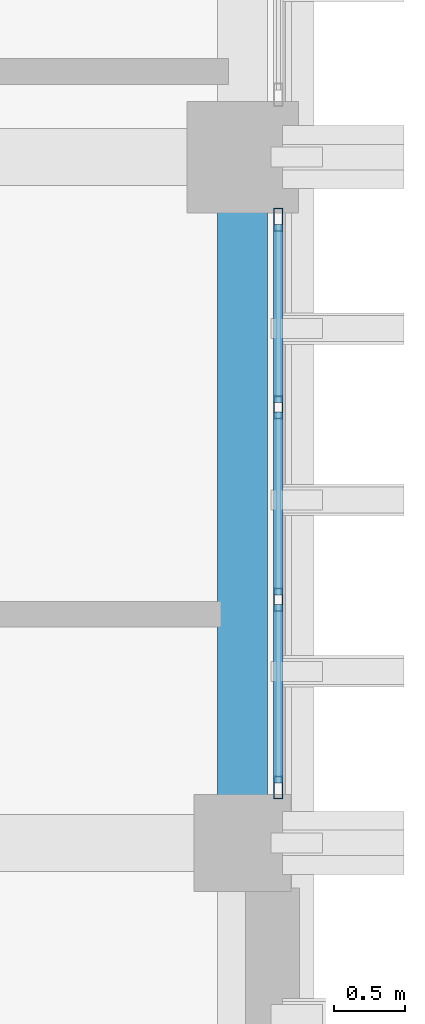
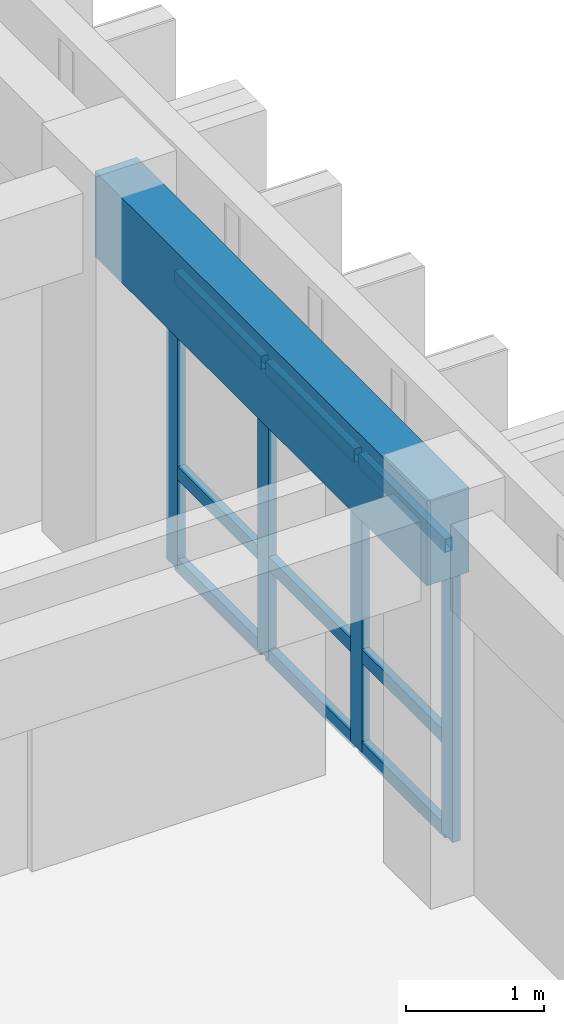
# One storey, part 14 of 68: 13 members, 1 beam, 1 element without a shape of its own.
"""IFC4 building model written with IfcOpenShell, lengths in metres."""

from ifc_helpers import new_model, si_unit, direction, frame, origin, origin_2d, place, context, subcontext, project, spatial, rectangle, hollow_rectangle, extrude, material, layer, layer_set, material_profile, profile_set, type_object, element, aggregate, save


model = new_model("IFC4")

# Units and contexts
model_context = context("Model", 3, precision=1e-05, world=origin(), true_north=direction((0.0, 1.0)))
body_context = subcontext(model_context, "Body", "Model", "MODEL_VIEW")
ifc_project = project(units=[si_unit("LENGTHUNIT", "METRE"), si_unit("AREAUNIT", "SQUARE_METRE"), si_unit("VOLUMEUNIT", "CUBIC_METRE"), si_unit("PLANEANGLEUNIT", "RADIAN"), si_unit("MASSUNIT", "GRAM", prefix="KILO")], contexts=[model_context])

# Site, building, storey
site_placement = place(None, origin())
site = spatial("IfcSite", under=ifc_project, at=site_placement, CompositionType="ELEMENT")
building_placement = place(site_placement, origin())
building = spatial("IfcBuilding", under=site, at=building_placement, Name="Nakhvara Creek Congress Hotel", CompositionType="ELEMENT")
storey_placement = place(building_placement, frame((0.0, 0.0, 24.60009765625)))
storey = spatial("IfcBuildingStorey", under=building, at=storey_placement, Name="L05", CompositionType="ELEMENT", Elevation=24.60009765625)

# Beam
ifc_material_1 = material(Name="Concrete C40/50", Category="concrete")
ifc_material_profile_1 = material_profile(ifc_material_1, rectangle(XDim=0.35009765625, YDim=0.75, at=origin_2d()), Name="RC-SPANDREL 350x750", Category="LoadBearing")
ifc_profile_set_1 = profile_set([ifc_material_profile_1], Name="Concrete C40/50")
beam_type = type_object("IfcBeamType", Name="BM-SPN-350X750", PredefinedType="SPANDREL", material=ifc_profile_set_1)
beam_placement = place(storey_placement, frame((179.35009765625, 43.199951171875, 2.96484375), z_axis=(0.0, 1.0, 0.0), x_axis=(-1.0, 0.0, 0.0)))
element("IfcBeam", 1, at=beam_placement, inside=storey, type_object=beam_type, Name="Beam SP1-L05-2150", PredefinedType="SPANDREL", context=body_context, shape_type="SweptSolid", body=[
    extrude(rectangle(XDim=0.35009765625, YDim=0.75, at=origin_2d()), origin(), (0.0, 0.0, 1.0), 4.800048828125),
])

# Curtain wall, members
ifc_material_2 = material(Name="Bronze-anodised aluminium AW-6063-T6 and double-silver low-E glass", Category="aluminium")
ifc_layer = layer(ifc_material_2, 0.199951171875)
ifc_layer_set = layer_set([ifc_layer], Name="Bronze-anodised aluminium AW-6063-T6 and double-silver low-E glass")
curtain_wall_type = type_object("IfcCurtainWallType", Name="CW-HTL-UNIT", PredefinedType="USERDEFINED", material=ifc_layer_set)
curtain_wall_placement = place(storey_placement, origin())
curtain_wall = element("IfcCurtainWall", 2, at=curtain_wall_placement, inside=storey, type_object=curtain_wall_type, Name="Curtain Wall CW206", ObjectType="UNITISED", PredefinedType="USERDEFINED")
ifc_material_3 = material(Name="Bronze-anodised aluminium AW-6063-T6", Category="aluminium")
ifc_material_profile_2 = material_profile(ifc_material_3, hollow_rectangle(XDim=0.06494140625, YDim=0.159912109375, WallThickness=0.00390625, at=origin_2d()), Name="ALU-MULL 65x160x4", Category="LoadBearing")
ifc_profile_set_2 = profile_set([ifc_material_profile_2], Name="Bronze-anodised aluminium AW-6063-T6")
member_type_1 = type_object("IfcMemberType", Name="CW-MULL-160", PredefinedType="MULLION", material=ifc_profile_set_2)
member_1_placement = place(storey_placement, frame((179.60009765625, 47.5625, 0.0), z_axis=(0.0, 0.0, 1.0), x_axis=(1.0, 0.0, 0.0)))
member_1 = element("IfcMember", 3, at=member_1_placement, type_object=member_type_1, Name="CW206 mullion 1", PredefinedType="MULLION", context=body_context, shape_type="SweptSolid", body=[
    extrude(hollow_rectangle(XDim=0.06494140625, YDim=0.159912109375, WallThickness=0.00390625, at=origin_2d()), origin(), (0.0, 0.0, 1.0), 2.581787109375),
])
member_2_placement = place(storey_placement, frame((179.60009765625, 46.248291015625, 0.0), z_axis=(0.0, 0.0, 1.0), x_axis=(1.0, 0.0, 0.0)))
member_2 = element("IfcMember", 4, at=member_2_placement, type_object=member_type_1, Name="CW206 mullion 2", PredefinedType="MULLION", context=body_context, shape_type="SweptSolid", body=[
    extrude(hollow_rectangle(XDim=0.06494140625, YDim=0.159912109375, WallThickness=0.00390625, at=origin_2d()), origin(), (0.0, 0.0, 1.0), 2.581787109375),
])
member_3_placement = place(storey_placement, frame((179.60009765625, 44.901611328125, 0.0), z_axis=(0.0, 0.0, 1.0), x_axis=(1.0, 0.0, 0.0)))
member_3 = element("IfcMember", 5, at=member_3_placement, type_object=member_type_1, Name="CW206 mullion 3", PredefinedType="MULLION", context=body_context, shape_type="SweptSolid", body=[
    extrude(hollow_rectangle(XDim=0.06494140625, YDim=0.159912109375, WallThickness=0.00390625, at=origin_2d()), origin(), (0.0, 0.0, 1.0), 2.581787109375),
])
member_4_placement = place(storey_placement, frame((179.60009765625, 43.58740234375, 0.0), z_axis=(0.0, 0.0, 1.0), x_axis=(1.0, 0.0, 0.0)))
member_4 = element("IfcMember", 6, at=member_4_placement, type_object=member_type_1, Name="CW206 mullion 4", PredefinedType="MULLION", context=body_context, shape_type="SweptSolid", body=[
    extrude(hollow_rectangle(XDim=0.06494140625, YDim=0.159912109375, WallThickness=0.00390625, at=origin_2d()), origin(), (0.0, 0.0, 1.0), 2.581787109375),
])
ifc_material_profile_3 = material_profile(ifc_material_3, hollow_rectangle(XDim=0.06494140625, YDim=0.1201171875, WallThickness=0.00390625, at=origin_2d()), Name="ALU-TRAN 65x120x4", Category="LoadBearing")
ifc_profile_set_3 = profile_set([ifc_material_profile_3], Name="Bronze-anodised aluminium AW-6063-T6")
member_type_2 = type_object("IfcMemberType", Name="CW-TRAN-120", PredefinedType="USERDEFINED", material=ifc_profile_set_3)
member_5_placement = place(storey_placement, frame((179.60009765625, 47.530029296875, 0.032470703125), z_axis=(0.0, -1.0, 0.0), x_axis=(1.0, 0.0, 0.0)))
member_5 = element("IfcMember", 7, at=member_5_placement, type_object=member_type_2, Name="CW206 transom 1.1", ObjectType="TRANSOM", PredefinedType="USERDEFINED", context=body_context, shape_type="SweptSolid", body=[
    extrude(hollow_rectangle(XDim=0.06494140625, YDim=0.1201171875, WallThickness=0.00390625, at=origin_2d()), origin(), (0.0, 0.0, 1.0), 1.249267578125),
])
member_6_placement = place(storey_placement, frame((179.60009765625, 47.530029296875, 0.849853515625), z_axis=(0.0, -1.0, 0.0), x_axis=(1.0, 0.0, 0.0)))
member_6 = element("IfcMember", 8, at=member_6_placement, type_object=member_type_2, Name="CW206 transom 1.2", ObjectType="TRANSOM", PredefinedType="USERDEFINED", context=body_context, shape_type="SweptSolid", body=[
    extrude(hollow_rectangle(XDim=0.06494140625, YDim=0.1201171875, WallThickness=0.00390625, at=origin_2d()), origin(), (0.0, 0.0, 1.0), 1.249267578125),
])
member_7_placement = place(storey_placement, frame((179.60009765625, 47.530029296875, 2.54931640625), z_axis=(0.0, -1.0, 0.0), x_axis=(1.0, 0.0, 0.0)))
member_7 = element("IfcMember", 9, at=member_7_placement, type_object=member_type_2, Name="CW206 transom 1.3", ObjectType="TRANSOM", PredefinedType="USERDEFINED", context=body_context, shape_type="SweptSolid", body=[
    extrude(hollow_rectangle(XDim=0.06494140625, YDim=0.1201171875, WallThickness=0.00390625, at=origin_2d()), origin(), (0.0, 0.0, 1.0), 1.249267578125),
])
member_8_placement = place(storey_placement, frame((179.60009765625, 46.2158203125, 0.032470703125), z_axis=(0.0, -1.0, 0.0), x_axis=(1.0, 0.0, 0.0)))
member_8 = element("IfcMember", 10, at=member_8_placement, type_object=member_type_2, Name="CW206 transom 2.1", ObjectType="TRANSOM", PredefinedType="USERDEFINED", context=body_context, shape_type="SweptSolid", body=[
    extrude(hollow_rectangle(XDim=0.06494140625, YDim=0.1201171875, WallThickness=0.00390625, at=origin_2d()), origin(), (0.0, 0.0, 1.0), 1.28173828125),
])
member_9_placement = place(storey_placement, frame((179.60009765625, 46.2158203125, 0.849853515625), z_axis=(0.0, -1.0, 0.0), x_axis=(1.0, 0.0, 0.0)))
member_9 = element("IfcMember", 11, at=member_9_placement, type_object=member_type_2, Name="CW206 transom 2.2", ObjectType="TRANSOM", PredefinedType="USERDEFINED", context=body_context, shape_type="SweptSolid", body=[
    extrude(hollow_rectangle(XDim=0.06494140625, YDim=0.1201171875, WallThickness=0.00390625, at=origin_2d()), origin(), (0.0, 0.0, 1.0), 1.28173828125),
])
member_10_placement = place(storey_placement, frame((179.60009765625, 46.2158203125, 2.54931640625), z_axis=(0.0, -1.0, 0.0), x_axis=(1.0, 0.0, 0.0)))
member_10 = element("IfcMember", 12, at=member_10_placement, type_object=member_type_2, Name="CW206 transom 2.3", ObjectType="TRANSOM", PredefinedType="USERDEFINED", context=body_context, shape_type="SweptSolid", body=[
    extrude(hollow_rectangle(XDim=0.06494140625, YDim=0.1201171875, WallThickness=0.00390625, at=origin_2d()), origin(), (0.0, 0.0, 1.0), 1.28173828125),
])
member_11_placement = place(storey_placement, frame((179.60009765625, 44.869140625, 0.032470703125), z_axis=(0.0, -1.0, 0.0), x_axis=(1.0, 0.0, 0.0)))
member_11 = element("IfcMember", 13, at=member_11_placement, type_object=member_type_2, Name="CW206 transom 3.1", ObjectType="TRANSOM", PredefinedType="USERDEFINED", context=body_context, shape_type="SweptSolid", body=[
    extrude(hollow_rectangle(XDim=0.06494140625, YDim=0.1201171875, WallThickness=0.00390625, at=origin_2d()), origin(), (0.0, 0.0, 1.0), 1.2490234375),
])
member_12_placement = place(storey_placement, frame((179.60009765625, 44.869140625, 0.849853515625), z_axis=(0.0, -1.0, 0.0), x_axis=(1.0, 0.0, 0.0)))
member_12 = element("IfcMember", 14, at=member_12_placement, type_object=member_type_2, Name="CW206 transom 3.2", ObjectType="TRANSOM", PredefinedType="USERDEFINED", context=body_context, shape_type="SweptSolid", body=[
    extrude(hollow_rectangle(XDim=0.06494140625, YDim=0.1201171875, WallThickness=0.00390625, at=origin_2d()), origin(), (0.0, 0.0, 1.0), 1.2490234375),
])
member_13_placement = place(storey_placement, frame((179.60009765625, 44.869140625, 2.54931640625), z_axis=(0.0, -1.0, 0.0), x_axis=(1.0, 0.0, 0.0)))
member_13 = element("IfcMember", 15, at=member_13_placement, type_object=member_type_2, Name="CW206 transom 3.3", ObjectType="TRANSOM", PredefinedType="USERDEFINED", context=body_context, shape_type="SweptSolid", body=[
    extrude(hollow_rectangle(XDim=0.06494140625, YDim=0.1201171875, WallThickness=0.00390625, at=origin_2d()), origin(), (0.0, 0.0, 1.0), 1.2490234375),
])
aggregate(curtain_wall, [member_1, member_2, member_3, member_4, member_5, member_6, member_7, member_8, member_9, member_10, member_11, member_12, member_13])

save(model, "model.ifc")
